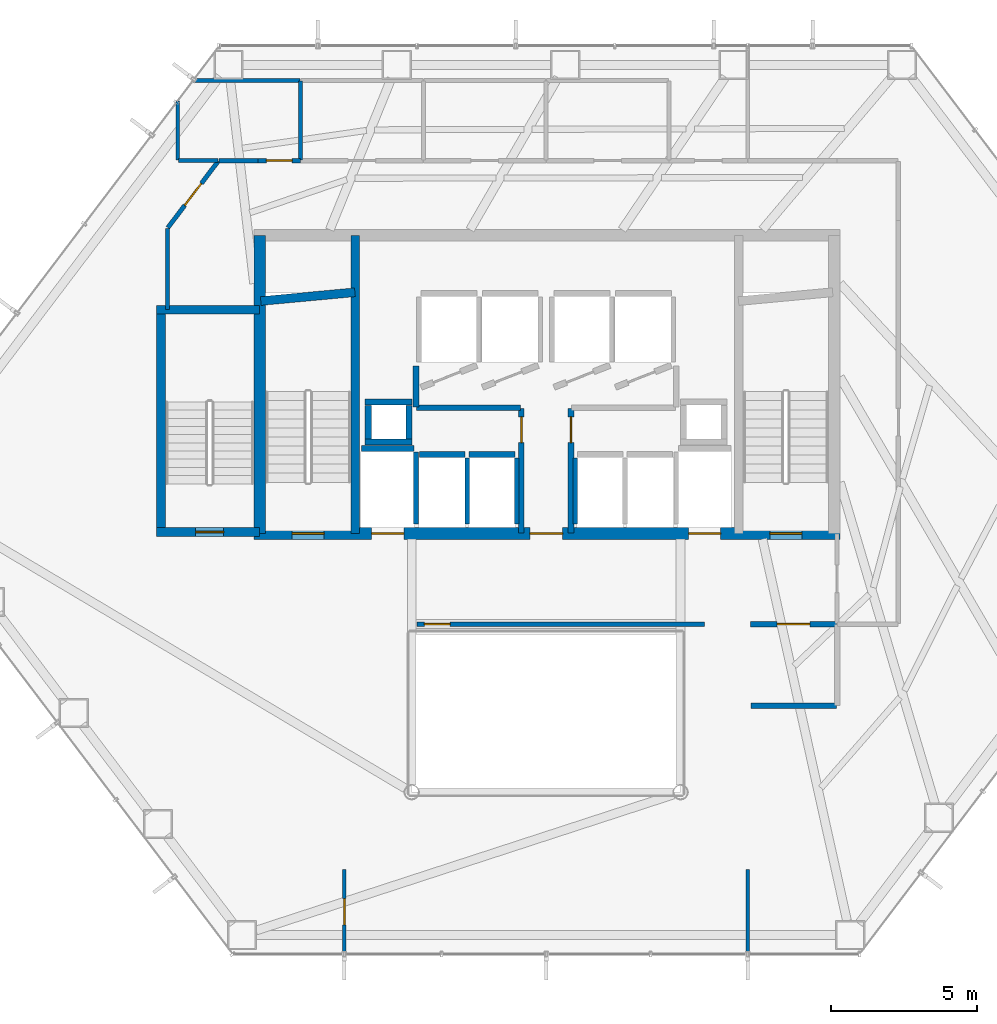
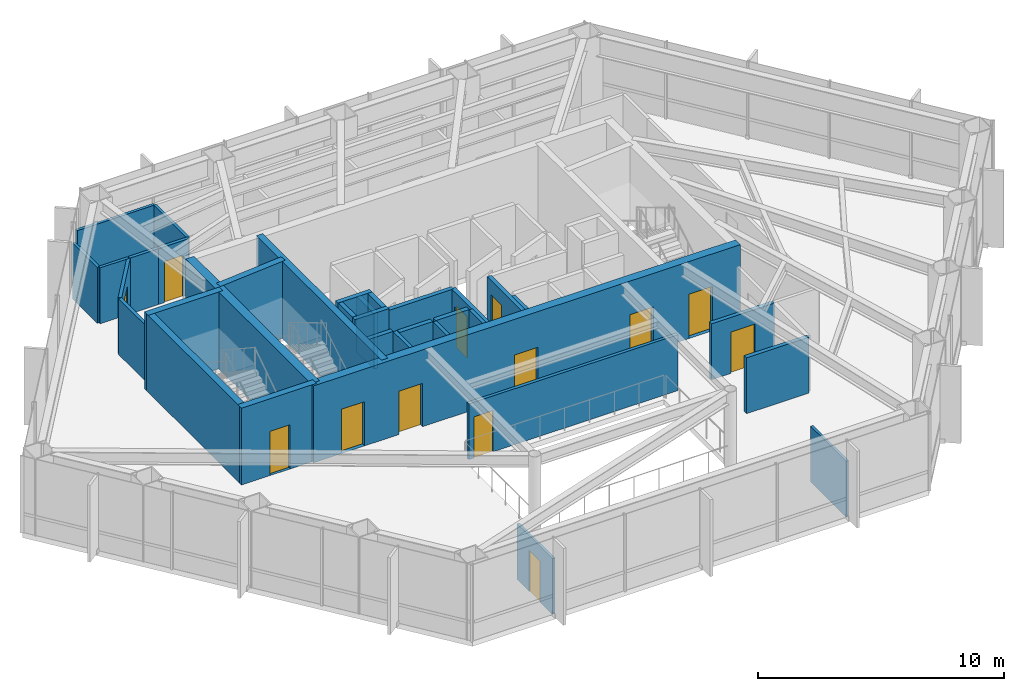
# One storey, part 22 of 25: 35 walls, 13 doors, 13 openings.
"""IFC4 building model written with IfcOpenShell, lengths in metres."""

import ifcopenshell
import ifcopenshell.guid

model = None  # the IFC model being written
_history = None  # IfcOwnerHistory: only IFC2X3 demands one
_inside = {}  # id of a spatial element -> (the spatial element, [elements in it])
_under = {}  # id of a project, library or spatial element -> (it, [spatial elements below it])
_declared = {}  # id of a project -> (the project, [libraries it declares])
_typed = {}  # id of a type object -> (the type object, [elements of that type])
_made_of = {}  # id of a material, layer set ... -> (it, [elements and type objects made of it])


def new_model(schema):
    """Start an empty IFC model of exactly this schema.

    Asked for "IFC4X3", IfcOpenShell would pick the latest addendum, in which some entities
    have other attributes; the version numbers below select the first issue.
    IFC2X3 requires an IfcOwnerHistory on every rooted entity: one is made here for all.
    """
    global model, _history
    if schema == "IFC4X3":
        model = ifcopenshell.file(schema_version=(4, 3, 0, 0))
    else:
        model = ifcopenshell.file(schema=schema)
    _inside.clear()
    _under.clear()
    _declared.clear()
    _typed.clear()
    _made_of.clear()
    _history = None
    if model.schema == "IFC2X3":
        org = make("IfcOrganization", Name="unknown")
        user = make(
            "IfcPersonAndOrganization",
            ThePerson=make("IfcPerson", FamilyName="unknown"),
            TheOrganization=org,
        )
        app = make(
            "IfcApplication",
            ApplicationDeveloper=org,
            Version="unknown",
            ApplicationFullName="unknown",
            ApplicationIdentifier="unknown",
        )
        _history = make(
            "IfcOwnerHistory",
            OwningUser=user,
            OwningApplication=app,
            ChangeAction="ADDED",
            CreationDate=0,
        )
    return model


def make(cls, **values):
    """One entity of the class cls with the attributes given. An attribute that is None is left unset."""
    return model.create_entity(
        cls, **{name: value for name, value in values.items() if value is not None}
    )


def rooted(cls, **values):
    """An entity with a GlobalId (a new one), such as an element, a storey or a relation."""
    return make(cls, GlobalId=ifcopenshell.guid.new(), OwnerHistory=_history, **values)


def si_unit(unit_type, name, prefix=None):
    """IfcSIUnit, for example si_unit("LENGTHUNIT", "METRE", prefix="MILLI")."""
    return make("IfcSIUnit", UnitType=unit_type, Prefix=prefix, Name=name)


def assignment(units):
    """IfcUnitAssignment: the units of a project."""
    return None if units is None else make("IfcUnitAssignment", Units=units)


def point(xyz):
    """IfcCartesianPoint."""
    return None if xyz is None else make("IfcCartesianPoint", Coordinates=xyz)


def direction(xyz):
    """IfcDirection."""
    return None if xyz is None else make("IfcDirection", DirectionRatios=xyz)


def frame(location, z_axis=None, x_axis=None):
    """IfcAxis2Placement3D, a coordinate frame: its origin and axes. An axis left out is left unset."""
    return make(
        "IfcAxis2Placement3D",
        Location=point(location),
        Axis=direction(z_axis),
        RefDirection=direction(x_axis),
    )


def frame_2d(location, x_axis=None):
    """IfcAxis2Placement2D, a coordinate frame in the plane: its origin and x axis."""
    return make(
        "IfcAxis2Placement2D", Location=point(location), RefDirection=direction(x_axis)
    )


def origin():
    """The frame at (0, 0, 0) with its axes left unset."""
    return frame((0.0, 0.0, 0.0))


def place(relative_to, where):
    """IfcLocalPlacement: puts the frame where relative to a parent placement (None: the world)."""
    return make(
        "IfcLocalPlacement", PlacementRelTo=relative_to, RelativePlacement=where
    )


def context(
    kind, dimensions, precision=None, world=None, true_north=None, identifier=None
):
    """IfcGeometricRepresentationContext, for example the 3D "Model" context."""
    return make(
        "IfcGeometricRepresentationContext",
        ContextIdentifier=identifier,
        ContextType=kind,
        CoordinateSpaceDimension=dimensions,
        Precision=precision,
        WorldCoordinateSystem=world,
        TrueNorth=true_north,
    )


def subcontext(parent, identifier, kind, view, scale=None):
    """IfcGeometricRepresentationSubContext, for example "Body" below "Model"."""
    return make(
        "IfcGeometricRepresentationSubContext",
        ContextIdentifier=identifier,
        ContextType=kind,
        ParentContext=parent,
        TargetScale=scale,
        TargetView=view,
    )


def project(units=None, contexts=None):
    """IfcProject with its units and contexts."""
    return rooted(
        "IfcProject",
        Name="project",
        RepresentationContexts=contexts,
        UnitsInContext=assignment(units),
    )


def spatial(cls, under=None, at=None, **own):
    """A site, building, storey or space (cls), placed at a placement, below another one or the project."""
    s = rooted(cls, ObjectPlacement=at, **own)
    if under is not None:
        _under.setdefault(under.id(), (under, []))[1].append(s)
    return s


def profile(cls, at=None, kind="AREA", **sizes):
    """A parametric profile (cls). Its sizes go by their IFC names, for example OverallWidth=200.0."""
    return make(cls, ProfileType=kind, Position=at, **sizes)


def rectangle(**sizes):
    """IfcRectangleProfileDef."""
    return profile("IfcRectangleProfileDef", **sizes)


def extrude(swept, where, along, depth):
    """IfcExtrudedAreaSolid: the profile swept, set in the frame where, extruded along a direction by depth."""
    return make(
        "IfcExtrudedAreaSolid",
        SweptArea=swept,
        Position=where,
        ExtrudedDirection=direction(along),
        Depth=depth,
    )


def shape(context_of_items, identifier, shape_type, items):
    """IfcShapeRepresentation: the items that make up one representation, for example the "Body"."""
    return make(
        "IfcShapeRepresentation",
        ContextOfItems=context_of_items,
        RepresentationIdentifier=identifier,
        RepresentationType=shape_type,
        Items=items,
    )


def material(Name=None, Category=None):
    """IfcMaterial."""
    return make("IfcMaterial", Name=Name, Category=Category)


def layer(
    of_material, thickness, ventilated=None, Name=None, Category=None, Priority=None
):
    """IfcMaterialLayer: one layer of a wall or slab, of a material (None: an air gap)."""
    return make(
        "IfcMaterialLayer",
        Material=of_material,
        LayerThickness=thickness,
        IsVentilated=ventilated,
        Name=Name,
        Category=Category,
        Priority=Priority,
    )


def layer_set(layers, Name=None):
    """IfcMaterialLayerSet."""
    return make("IfcMaterialLayerSet", MaterialLayers=layers, LayerSetName=Name)


def made_of(thing, what):
    """Note that an element or type object is made of a material, layer set ...; save() writes the relation."""
    if what is not None:
        _made_of.setdefault(what.id(), (what, []))[1].append(thing)
    return thing


def type_object(cls, material=None, **own):
    """A type object (cls), such as IfcWallType, which elements share."""
    return made_of(rooted(cls, **own), material)


def element(
    cls,
    number,
    at=None,
    inside=None,
    cuts=None,
    type_object=None,
    material=None,
    context=None,
    identifier="Body",
    shape_type=None,
    held_by="IfcProductDefinitionShape",
    body=None,
    shapes=None,
    **own,
):
    """One element of the class cls, such as IfcWall. Its Tag is "e" and its number.

    at: its placement. inside: the storey or other place that contains it. cuts: it is an
    opening in that element (IfcRelVoidsElement). A single representation is given by context,
    identifier, shape_type and body (its items); several are given by shapes. held_by: the class
    of the entity that holds the representations. save() writes the other relations.
    """
    e = rooted(cls, Tag="e%d" % number, ObjectPlacement=at, **own)
    if body is not None:
        shapes = [shape(context, identifier, shape_type, body)]
    if shapes is not None:
        e.Representation = make(held_by, Representations=shapes)
    if inside is not None:
        _inside.setdefault(inside.id(), (inside, []))[1].append(e)
    if cuts is not None:
        rooted(
            "IfcRelVoidsElement", RelatingBuildingElement=cuts, RelatedOpeningElement=e
        )
    if type_object is not None:
        _typed.setdefault(type_object.id(), (type_object, []))[1].append(e)
    return made_of(e, material)


def fill(opening, filler):
    """IfcRelFillsElement: the door or window that sits in an opening."""
    return rooted(
        "IfcRelFillsElement",
        RelatingOpeningElement=opening,
        RelatedBuildingElement=filler,
    )


def aggregate(whole, parts):
    """IfcRelAggregates: a whole, such as a stair, and the parts it consists of."""
    return rooted("IfcRelAggregates", RelatingObject=whole, RelatedObjects=parts)


def save(model, path):
    """Write the relations noted so far, then the file.

    IfcRelAggregates (storeys below a building ...), IfcRelContainedInSpatialStructure (elements
    in a storey), IfcRelDefinesByType, IfcRelAssociatesMaterial and IfcRelDeclares: one each for
    every whole, place, type object, material and project.
    """
    for whole, parts in _under.values():
        aggregate(whole, parts)
    for where, things in _inside.values():
        rooted(
            "IfcRelContainedInSpatialStructure",
            RelatedElements=things,
            RelatingStructure=where,
        )
    for kind, things in _typed.values():
        rooted("IfcRelDefinesByType", RelatedObjects=things, RelatingType=kind)
    for what, things in _made_of.values():
        rooted("IfcRelAssociatesMaterial", RelatedObjects=things, RelatingMaterial=what)
    for by, libraries in _declared.values():
        rooted("IfcRelDeclares", RelatingContext=by, RelatedDefinitions=libraries)
    model.write(path)


model = new_model("IFC4")

# Units and contexts
model_context = context("Model", 3, precision=1e-05, world=origin(), true_north=direction((0.0, 1.0)))
body_context = subcontext(model_context, "Body", "Model", "MODEL_VIEW")
ifc_project = project(units=[si_unit("LENGTHUNIT", "METRE"), si_unit("AREAUNIT", "SQUARE_METRE"), si_unit("VOLUMEUNIT", "CUBIC_METRE"), si_unit("PLANEANGLEUNIT", "RADIAN"), si_unit("MASSUNIT", "GRAM", prefix="KILO")], contexts=[model_context])

# Site, building, storey
site_placement = place(None, origin())
site = spatial("IfcSite", under=ifc_project, at=site_placement, CompositionType="ELEMENT")
building_placement = place(site_placement, origin())
building = spatial("IfcBuilding", under=site, at=building_placement, Name="Zarrinselat Tower", CompositionType="ELEMENT")
storey_placement = place(building_placement, frame((0.0, 0.0, 56.10009765625)))
storey = spatial("IfcBuildingStorey", under=building, at=storey_placement, Name="L13", CompositionType="ELEMENT", Elevation=56.10009765625)

# Wall, opening, door
ifc_material_1 = material(Name="Concrete C40/50", Category="concrete")
ifc_layer_1 = layer(ifc_material_1, 0.18994140625)
ifc_layer_set_1 = layer_set([ifc_layer_1], Name="Concrete C40/50")
wall_type_1 = type_object("IfcWallType", Name="WAL-PART-EI120", PredefinedType="PARTITIONING", material=ifc_layer_set_1)
wall_1_placement = place(storey_placement, frame((45.385009765625, 30.14990234375, 0.0), z_axis=(0.0, 0.0, 1.0), x_axis=(1.0, 0.0, 0.0)))
wall_1 = element("IfcWall", 1, at=wall_1_placement, inside=storey, type_object=wall_type_1, Name="L13 Partition Wall 7", PredefinedType="PARTITIONING", context=body_context, shape_type="SweptSolid", body=[
    extrude(rectangle(XDim=2.945068359375, YDim=0.18994140625, at=frame_2d((1.47265625, 0.0))), origin(), (0.0, 0.0, 1.0), 2.77685546875),
])
opening_1_placement = place(wall_1_placement, frame((0.91259765625, 0.0, 0.0)))
opening_1 = element("IfcOpeningElement", 2, at=opening_1_placement, cuts=wall_1, Name="Opening ID-02", PredefinedType="OPENING", context=body_context, shape_type="SweptSolid", body=[
    extrude(rectangle(XDim=1.1201171875, YDim=2.050048828125, at=frame_2d((0.56005859375, 1.02490234375))), frame((0.0, 0.10498046875, 0.0), z_axis=(0.0, -1.0, 0.0), x_axis=(1.0, 0.0, 0.0)), (0.0, 0.0, 1.0), 0.2099609375),
])
ifc_material_2 = material(Name="Steel S355J2", Category="steel")
door_type_1 = type_object("IfcDoorType", Name="DR-INT-FD60-W", OperationType="NOTDEFINED", PredefinedType="DOOR", material=ifc_material_2)
door_1_placement = place(opening_1_placement, origin())
door_1 = element("IfcDoor", 3, at=door_1_placement, inside=storey, type_object=door_type_1, Name="L13 Interior Door P7", OperationType="SINGLE_SWING_RIGHT", OverallHeight=2.050048828125, OverallWidth=1.1201171875, PredefinedType="DOOR", context=body_context, shape_type="SweptSolid", body=[
    extrude(rectangle(XDim=1.1201171875, YDim=2.050048828125, at=frame_2d((0.56005859375, 1.02490234375))), frame((0.0, 0.02490234375, 0.0), z_axis=(0.0, -1.0, 0.0), x_axis=(1.0, 0.0, 0.0)), (0.0, 0.0, 1.0), 0.050048828125),
])
fill(opening_1, door_1)

# Wall
wall_2_placement = place(storey_placement, frame((45.39990234375, 27.35009765625, 0.0), z_axis=(0.0, 0.0, 1.0), x_axis=(1.0, 0.0, 0.0)))
element("IfcWall", 4, at=wall_2_placement, inside=storey, type_object=wall_type_1, Name="L13 Partition Wall 10", PredefinedType="PARTITIONING", context=body_context, shape_type="SweptSolid", body=[
    extrude(rectangle(XDim=2.93017578125, YDim=0.18994140625, at=frame_2d((1.465087890625, 0.0))), origin(), (0.0, 0.0, 1.0), 2.77685546875),
])

# Wall, opening, door
ifc_material_3 = material(Name="Fire-Rated Gypsum Board Partition", Category="gypsum")
ifc_layer_2 = layer(ifc_material_3, 0.14990234375)
ifc_layer_set_2 = layer_set([ifc_layer_2], Name="Fire-Rated Gypsum Board Partition")
wall_type_2 = type_object("IfcWallType", Name="WAL-PART-EI60", PredefinedType="PARTITIONING", material=ifc_layer_set_2)
wall_3_placement = place(storey_placement, frame((33.985107421875, 30.14990234375, 0.0), z_axis=(0.0, 0.0, 1.0), x_axis=(1.0, 0.0, 0.0)))
wall_3 = element("IfcWall", 5, at=wall_3_placement, inside=storey, type_object=wall_type_2, Name="L13 Partition Wall 9", PredefinedType="PARTITIONING", context=body_context, shape_type="SweptSolid", body=[
    extrude(rectangle(XDim=9.829833984375, YDim=0.14990234375, at=frame_2d((4.9150390625, 0.0))), origin(), (0.0, 0.0, 1.0), 2.77685546875),
])
opening_2_placement = place(wall_3_placement, frame((0.25, 0.0, 0.0)))
opening_2 = element("IfcOpeningElement", 6, at=opening_2_placement, cuts=wall_3, Name="Opening ID-03", PredefinedType="OPENING", context=body_context, shape_type="SweptSolid", body=[
    extrude(rectangle(XDim=0.8798828125, YDim=2.050048828125, at=frame_2d((0.43994140625, 1.02490234375))), frame((0.0, 0.0849609375, 0.0), z_axis=(0.0, -1.0, 0.0), x_axis=(1.0, 0.0, 0.0)), (0.0, 0.0, 1.0), 0.169921875),
])
ifc_material_4 = material(Name="Steel S355J2", Category="steel")
door_type_2 = type_object("IfcDoorType", Name="DR-INT-FD60-S", OperationType="NOTDEFINED", PredefinedType="DOOR", material=ifc_material_4)
door_2_placement = place(opening_2_placement, origin())
door_2 = element("IfcDoor", 7, at=door_2_placement, inside=storey, type_object=door_type_2, Name="L13 Interior Door P9", OperationType="SINGLE_SWING_RIGHT", OverallHeight=2.050048828125, OverallWidth=0.8798828125, PredefinedType="DOOR", context=body_context, shape_type="SweptSolid", body=[
    extrude(rectangle(XDim=0.8798828125, YDim=2.050048828125, at=frame_2d((0.43994140625, 1.02490234375))), frame((0.0, 0.02490234375, 0.0), z_axis=(0.0, -1.0, 0.0), x_axis=(1.0, 0.0, 0.0)), (0.0, 0.0, 1.0), 0.050048828125),
])
fill(opening_2, door_2)

# Wall
wall_4_placement = place(storey_placement, frame((27.216552734375, 46.0, 0.0), z_axis=(0.0, 0.0, 1.0), x_axis=(1.0, 0.0, 0.0)))
element("IfcWall", 8, at=wall_4_placement, inside=storey, type_object=wall_type_2, Name="L13 Partition Wall 12", PredefinedType="PARTITIONING", context=body_context, shape_type="SweptSolid", body=[
    extrude(rectangle(XDim=1.33349609375, YDim=0.14990234375, at=frame_2d((0.666748046875, 0.0))), origin(), (0.0, 0.0, 1.0), 2.77685546875),
])

# Wall, opening, door
wall_5_placement = place(storey_placement, frame((28.550048828125, 46.0, 0.0), z_axis=(0.0, 0.0, 1.0), x_axis=(1.0, 0.0, 0.0)))
wall_5 = element("IfcWall", 9, at=wall_5_placement, inside=storey, type_object=wall_type_2, Name="L13 Partition Wall 13", PredefinedType="PARTITIONING", context=body_context, shape_type="SweptSolid", body=[
    extrude(rectangle(XDim=1.445068359375, YDim=0.14990234375, at=frame_2d((0.72265625, 0.0))), origin(), (0.0, 0.0, 1.0), 2.77685546875),
])
opening_3_placement = place(wall_5_placement, frame((0.282470703125, 0.0, 0.0)))
opening_3 = element("IfcOpeningElement", 10, at=opening_3_placement, cuts=wall_5, Name="Opening ID-03", PredefinedType="OPENING", context=body_context, shape_type="SweptSolid", body=[
    extrude(rectangle(XDim=0.8798828125, YDim=2.050048828125, at=frame_2d((0.43994140625, 1.02490234375))), frame((0.0, 0.0849609375, 0.0), z_axis=(0.0, -1.0, 0.0), x_axis=(1.0, 0.0, 0.0)), (0.0, 0.0, 1.0), 0.169921875),
])
door_3_placement = place(opening_3_placement, origin())
door_3 = element("IfcDoor", 11, at=door_3_placement, inside=storey, type_object=door_type_2, Name="L13 Interior Door P13", OperationType="SINGLE_SWING_LEFT", OverallHeight=2.050048828125, OverallWidth=0.8798828125, PredefinedType="DOOR", context=body_context, shape_type="SweptSolid", body=[
    extrude(rectangle(XDim=0.8798828125, YDim=2.050048828125, at=frame_2d((0.43994140625, 1.02490234375))), frame((0.0, 0.02490234375, 0.0), z_axis=(0.0, -1.0, 0.0), x_axis=(1.0, 0.0, 0.0)), (0.0, 0.0, 1.0), 0.050048828125),
])
fill(opening_3, door_3)

# Wall
wall_6_placement = place(storey_placement, frame((25.449951171875, 40.9150390625, 0.0), z_axis=(0.0, 0.0, 1.0), x_axis=(0.0, 1.0, 0.0)))
element("IfcWall", 12, at=wall_6_placement, inside=storey, type_object=wall_type_2, Name="L13 Partition Wall 17", PredefinedType="PARTITIONING", context=body_context, shape_type="SweptSolid", body=[
    extrude(rectangle(XDim=2.75927734375, YDim=0.14990234375, at=frame_2d((1.379638671875, 0.0))), origin(), (0.0, 0.0, 1.0), 2.77685546875),
])

# Wall, opening, door
wall_7_placement = place(storey_placement, frame((25.462158203125, 43.710205078125, 0.0), z_axis=(0.0, 0.0, 1.0), x_axis=(0.603800014115, 0.797135837204, 0.0)))
wall_7 = element("IfcWall", 13, at=wall_7_placement, inside=storey, type_object=wall_type_2, Name="L13 Partition Wall 18", PredefinedType="PARTITIONING", context=body_context, shape_type="SweptSolid", body=[
    extrude(rectangle(XDim=2.8525390625, YDim=0.14990234375, at=frame_2d((1.42626953125, 0.0))), origin(), (0.0, 0.0, 1.0), 2.77685546875),
])
opening_4_placement = place(wall_7_placement, frame((0.956298828125, 0.0, 0.0)))
opening_4 = element("IfcOpeningElement", 14, at=opening_4_placement, cuts=wall_7, Name="Opening ID-04", PredefinedType="OPENING", context=body_context, shape_type="SweptSolid", body=[
    extrude(rectangle(XDim=0.93994140625, YDim=2.050048828125, at=frame_2d((0.469970703125, 1.02490234375))), frame((0.0, 0.0849609375, 0.0), z_axis=(0.0, -1.0, 0.0), x_axis=(1.0, 0.0, 0.0)), (0.0, 0.0, 1.0), 0.169921875),
])
ifc_material_5 = material(Name="Fire-Rated Gypsum Board Partition")
door_type_3 = type_object("IfcDoorType", Name="DR-INT-FD30-ENT", OperationType="NOTDEFINED", PredefinedType="DOOR", material=ifc_material_5)
door_4_placement = place(opening_4_placement, origin())
door_4 = element("IfcDoor", 15, at=door_4_placement, inside=storey, type_object=door_type_3, Name="L13 Interior Door P18", OperationType="SINGLE_SWING_LEFT", OverallHeight=2.050048828125, OverallWidth=0.93994140625, PredefinedType="DOOR", context=body_context, shape_type="SweptSolid", body=[
    extrude(rectangle(XDim=0.93994140625, YDim=2.050048828125, at=frame_2d((0.469970703125, 1.02490234375))), frame((0.0, 0.02490234375, 0.0), z_axis=(0.0, -1.0, 0.0), x_axis=(1.0, 0.0, 0.0)), (0.0, 0.0, 1.0), 0.050048828125),
])
fill(opening_4, door_4)

ifc_material_6 = material(Name="Concrete C40/50", Category="concrete")
ifc_layer_3 = layer(ifc_material_6, 0.199951171875)
ifc_layer_set_3 = layer_set([ifc_layer_3], Name="Concrete C40/50")
wall_type_3 = type_object("IfcWallType", Name="WAL-PART-PLANT", PredefinedType="PARTITIONING", material=ifc_layer_set_3)
wall_8_placement = place(storey_placement, frame((37.550048828125, 33.264892578125, 0.0), z_axis=(0.0, 0.0, 1.0), x_axis=(0.0, 1.0, 0.0)))
wall_8 = element("IfcWall", 16, at=wall_8_placement, inside=storey, type_object=wall_type_3, Name="L13 Partition Wall 1", PredefinedType="PARTITIONING", context=body_context, shape_type="SweptSolid", body=[
    extrude(rectangle(XDim=4.26513671875, YDim=0.199951171875, at=frame_2d((2.132568359375, 0.0))), origin(), (0.0, 0.0, 1.0), 2.77685546875),
])
opening_5_placement = place(wall_8_placement, frame((3.092529296875, 0.0, 0.0)))
opening_5 = element("IfcOpeningElement", 17, at=opening_5_placement, cuts=wall_8, Name="Opening ID-03", PredefinedType="OPENING", context=body_context, shape_type="SweptSolid", body=[
    extrude(rectangle(XDim=0.8798828125, YDim=2.050048828125, at=frame_2d((0.43994140625, 1.02490234375))), frame((0.0, 0.10986328125, 0.0), z_axis=(0.0, -1.0, 0.0), x_axis=(1.0, 0.0, 0.0)), (0.0, 0.0, 1.0), 0.219970703125),
])
door_5_placement = place(opening_5_placement, origin())
door_5 = element("IfcDoor", 18, at=door_5_placement, inside=storey, type_object=door_type_2, Name="L13 Interior Door P1", OperationType="SINGLE_SWING_RIGHT", OverallHeight=2.050048828125, OverallWidth=0.8798828125, PredefinedType="DOOR", context=body_context, shape_type="SweptSolid", body=[
    extrude(rectangle(XDim=0.8798828125, YDim=2.050048828125, at=frame_2d((0.43994140625, 1.02490234375))), frame((0.0, 0.02490234375, 0.0), z_axis=(0.0, -1.0, 0.0), x_axis=(1.0, 0.0, 0.0)), (0.0, 0.0, 1.0), 0.050048828125),
])
fill(opening_5, door_5)

# Walls
wall_9_placement = place(storey_placement, frame((33.969970703125, 37.550048828125, 0.0), z_axis=(0.0, 0.0, 1.0), x_axis=(1.0, 0.0, 0.0)))
element("IfcWall", 19, at=wall_9_placement, inside=storey, type_object=wall_type_3, Name="L13 Partition Wall 2", PredefinedType="PARTITIONING", context=body_context, shape_type="SweptSolid", body=[
    extrude(rectangle(XDim=3.56005859375, YDim=0.199951171875, at=frame_2d((1.780029296875, 0.0))), origin(), (0.0, 0.0, 1.0), 2.77685546875),
])
wall_10_placement = place(storey_placement, frame((33.949951171875, 37.570068359375, 0.0), z_axis=(0.0, 0.0, 1.0), x_axis=(0.0, 1.0, 0.0)))
element("IfcWall", 20, at=wall_10_placement, inside=storey, type_object=wall_type_3, Name="L13 Partition Wall 3", PredefinedType="PARTITIONING", context=body_context, shape_type="SweptSolid", body=[
    extrude(rectangle(XDim=1.4150390625, YDim=0.199951171875, at=frame_2d((0.70751953125, 0.0))), origin(), (0.0, 0.0, 1.0), 2.77685546875),
])

# Wall, opening, door
wall_11_placement = place(storey_placement, frame((39.25, 33.264892578125, 0.0), z_axis=(0.0, 0.0, 1.0), x_axis=(0.0, 1.0, 0.0)))
wall_11 = element("IfcWall", 21, at=wall_11_placement, inside=storey, type_object=wall_type_3, Name="L13 Partition Wall 6", PredefinedType="PARTITIONING", context=body_context, shape_type="SweptSolid", body=[
    extrude(rectangle(XDim=4.26513671875, YDim=0.199951171875, at=frame_2d((2.132568359375, 0.0))), origin(), (0.0, 0.0, 1.0), 2.77685546875),
])
opening_6_placement = place(wall_11_placement, frame((3.092529296875, 0.0, 0.0)))
opening_6 = element("IfcOpeningElement", 22, at=opening_6_placement, cuts=wall_11, Name="Opening ID-03", PredefinedType="OPENING", context=body_context, shape_type="SweptSolid", body=[
    extrude(rectangle(XDim=0.8798828125, YDim=2.050048828125, at=frame_2d((0.43994140625, 1.02490234375))), frame((0.0, 0.10986328125, 0.0), z_axis=(0.0, -1.0, 0.0), x_axis=(1.0, 0.0, 0.0)), (0.0, 0.0, 1.0), 0.219970703125),
])
door_6_placement = place(opening_6_placement, origin())
door_6 = element("IfcDoor", 23, at=door_6_placement, inside=storey, type_object=door_type_2, Name="L13 Interior Door P6", OperationType="SINGLE_SWING_LEFT", OverallHeight=2.050048828125, OverallWidth=0.8798828125, PredefinedType="DOOR", context=body_context, shape_type="SweptSolid", body=[
    extrude(rectangle(XDim=0.8798828125, YDim=2.050048828125, at=frame_2d((0.43994140625, 1.02490234375))), frame((0.0, 0.02490234375, 0.0), z_axis=(0.0, -1.0, 0.0), x_axis=(1.0, 0.0, 0.0)), (0.0, 0.0, 1.0), 0.050048828125),
])
fill(opening_6, door_6)

ifc_material_7 = material(Name="Fire-Rated Gypsum Board Partition", Category="gypsum")
ifc_layer_4 = layer(ifc_material_7, 0.1201171875)
ifc_layer_set_4 = layer_set([ifc_layer_4], Name="Fire-Rated Gypsum Board Partition")
wall_type_4 = type_object("IfcWallType", Name="WAL-PART-STD", PredefinedType="PARTITIONING", material=ifc_layer_set_4)
wall_12_placement = place(storey_placement, frame((31.5, 18.876708984375, 0.0), z_axis=(0.0, 0.0, 1.0), x_axis=(0.0, 1.0, 0.0)))
wall_12 = element("IfcWall", 24, at=wall_12_placement, inside=storey, type_object=wall_type_4, Name="L13 Partition Wall 35", PredefinedType="PARTITIONING", context=body_context, shape_type="SweptSolid", body=[
    extrude(rectangle(XDim=2.873291015625, YDim=0.1201171875, at=frame_2d((1.4365234375, 0.0))), origin(), (0.0, 0.0, 1.0), 2.77685546875),
])
opening_7_placement = place(wall_12_placement, frame((0.98681640625, 0.0, 0.0)))
opening_7 = element("IfcOpeningElement", 25, at=opening_7_placement, cuts=wall_12, Name="Opening ID-05", PredefinedType="OPENING", context=body_context, shape_type="SweptSolid", body=[
    extrude(rectangle(XDim=0.89990234375, YDim=2.050048828125, at=frame_2d((0.449951171875, 1.02490234375))), frame((0.0, 0.070068359375, 0.0), z_axis=(0.0, -1.0, 0.0), x_axis=(1.0, 0.0, 0.0)), (0.0, 0.0, 1.0), 0.14013671875),
])
ifc_material_8 = material(Name="Extruded Aluminium Alloy EN AW-6063 T6", Category="aluminium")
door_type_4 = type_object("IfcDoorType", Name="DR-INT-STD-920", OperationType="NOTDEFINED", PredefinedType="DOOR", material=ifc_material_8)
door_7_placement = place(opening_7_placement, origin())
door_7 = element("IfcDoor", 26, at=door_7_placement, inside=storey, type_object=door_type_4, Name="L13 Interior Door P35", OperationType="SINGLE_SWING_RIGHT", OverallHeight=2.050048828125, OverallWidth=0.89990234375, PredefinedType="DOOR", context=body_context, shape_type="SweptSolid", body=[
    extrude(rectangle(XDim=0.89990234375, YDim=2.050048828125, at=frame_2d((0.449951171875, 1.02490234375))), frame((0.0, 0.02490234375, 0.0), z_axis=(0.0, -1.0, 0.0), x_axis=(1.0, 0.0, 0.0)), (0.0, 0.0, 1.0), 0.050048828125),
])
fill(opening_7, door_7)

# Walls
wall_13_placement = place(storey_placement, frame((45.300048828125, 18.876708984375, 0.0), z_axis=(0.0, 0.0, 1.0), x_axis=(0.0, 1.0, 0.0)))
element("IfcWall", 27, at=wall_13_placement, inside=storey, type_object=wall_type_4, Name="L13 Partition Wall 36", PredefinedType="PARTITIONING", context=body_context, shape_type="SweptSolid", body=[
    extrude(rectangle(XDim=2.873291015625, YDim=0.1201171875, at=frame_2d((1.4365234375, 0.0))), origin(), (0.0, 0.0, 1.0), 2.77685546875),
])
ifc_material_9 = material(Name="Fire-Rated Gypsum Board Partition", Category="gypsum")
ifc_layer_5 = layer(ifc_material_9, 0.135009765625)
ifc_layer_set_5 = layer_set([ifc_layer_5], Name="Fire-Rated Gypsum Board Partition")
wall_type_5 = type_object("IfcWallType", Name="WAL-PART-WET", PredefinedType="PARTITIONING", material=ifc_layer_set_5)
wall_14_placement = place(storey_placement, frame((30.0, 46.02001953125, 0.0), z_axis=(0.0, 0.0, 1.0), x_axis=(0.0, 1.0, 0.0)))
element("IfcWall", 28, at=wall_14_placement, inside=storey, type_object=wall_type_5, Name="L13 Partition Wall 25", PredefinedType="PARTITIONING", context=body_context, shape_type="SweptSolid", body=[
    extrude(rectangle(XDim=2.7099609375, YDim=0.135009765625, at=frame_2d((1.35498046875, 0.0))), origin(), (0.0, 0.0, 1.0), 2.77685546875),
])
wall_15_placement = place(storey_placement, frame((25.820068359375, 46.0, 0.0), z_axis=(0.0, 0.0, 1.0), x_axis=(1.0, 0.0, 0.0)))
element("IfcWall", 29, at=wall_15_placement, inside=storey, type_object=wall_type_5, Name="L13 Partition Wall 26", PredefinedType="PARTITIONING", context=body_context, shape_type="SweptSolid", body=[
    extrude(rectangle(XDim=1.3564453125, YDim=0.135009765625, at=frame_2d((0.67822265625, 0.0))), origin(), (0.0, 0.0, 1.0), 2.77685546875),
])
wall_16_placement = place(storey_placement, frame((25.800048828125, 46.02001953125, 0.0), z_axis=(0.0, 0.0, 1.0), x_axis=(0.0, 1.0, 0.0)))
element("IfcWall", 30, at=wall_16_placement, inside=storey, type_object=wall_type_5, Name="L13 Partition Wall 27", PredefinedType="PARTITIONING", context=body_context, shape_type="SweptSolid", body=[
    extrude(rectangle(XDim=2.029541015625, YDim=0.135009765625, at=frame_2d((1.0146484375, 0.0))), origin(), (0.0, 0.0, 1.0), 2.77685546875),
])
wall_17_placement = place(storey_placement, frame((26.334228515625, 48.75, 0.0), z_axis=(0.0, 0.0, 1.0), x_axis=(1.0, 0.0, 0.0)))
element("IfcWall", 31, at=wall_17_placement, inside=storey, type_object=wall_type_5, Name="L13 Partition Wall 28", PredefinedType="PARTITIONING", context=body_context, shape_type="SweptSolid", body=[
    extrude(rectangle(XDim=3.645751953125, YDim=0.135009765625, at=frame_2d((1.82275390625, 0.0))), origin(), (0.0, 0.0, 1.0), 2.77685546875),
])
ifc_material_10 = material(Name="Concrete C40/50", Category="concrete")
ifc_layer_6 = layer(ifc_material_10, 0.2099609375)
ifc_layer_set_6 = layer_set([ifc_layer_6], Name="Concrete C40/50")
wall_type_6 = type_object("IfcWallType", Name="WAL-SHAFT-210", PredefinedType="SOLIDWALL", material=ifc_layer_set_6)
wall_18_placement = place(storey_placement, frame((32.080078125, 36.155029296875, 0.0), z_axis=(0.0, 0.0, 1.0), x_axis=(1.0, 0.0, 0.0)))
element("IfcWall", 32, at=wall_18_placement, inside=storey, type_object=wall_type_6, Name="L13 Lift FFL1 North Shaft Wall", PredefinedType="SOLIDWALL", context=body_context, shape_type="SweptSolid", body=[
    extrude(rectangle(XDim=1.7998046875, YDim=0.2099609375, at=frame_2d((0.89990234375, 0.0))), origin(), (0.0, 0.0, 1.0), 2.7919921875),
])
wall_19_placement = place(storey_placement, frame((33.949951171875, 33.580078125, 0.0), z_axis=(0.0, 0.0, 1.0), x_axis=(0.0, 1.0, 0.0)))
element("IfcWall", 33, at=wall_19_placement, inside=storey, type_object=wall_type_6, Name="L13 Lift FFL1 E Shaft Wall", PredefinedType="SOLIDWALL", context=body_context, shape_type="SweptSolid", body=[
    extrude(rectangle(XDim=2.449951171875, YDim=0.159912109375, at=frame_2d((1.22509765625, 0.0))), origin(), (0.0, 0.0, 1.0), 2.7919921875),
])
wall_20_placement = place(storey_placement, frame((34.070068359375, 35.955078125, 0.0), z_axis=(0.0, 0.0, 1.0), x_axis=(1.0, 0.0, 0.0)))
element("IfcWall", 34, at=wall_20_placement, inside=storey, type_object=wall_type_6, Name="L13 Lift PL5 North Shaft Wall", PredefinedType="SOLIDWALL", context=body_context, shape_type="SweptSolid", body=[
    extrude(rectangle(XDim=1.559814453125, YDim=0.2099609375, at=frame_2d((0.77978515625, 0.0))), origin(), (0.0, 0.0, 1.0), 2.7919921875),
])
wall_21_placement = place(storey_placement, frame((35.699951171875, 33.580078125, 0.0), z_axis=(0.0, 0.0, 1.0), x_axis=(0.0, 1.0, 0.0)))
element("IfcWall", 35, at=wall_21_placement, inside=storey, type_object=wall_type_6, Name="L13 Lift PL5 E Shaft Wall", PredefinedType="SOLIDWALL", context=body_context, shape_type="SweptSolid", body=[
    extrude(rectangle(XDim=2.25, YDim=0.159912109375, at=frame_2d((1.125, 0.0))), origin(), (0.0, 0.0, 1.0), 2.7919921875),
])
wall_22_placement = place(storey_placement, frame((35.77001953125, 35.955078125, 0.0), z_axis=(0.0, 0.0, 1.0), x_axis=(1.0, 0.0, 0.0)))
element("IfcWall", 36, at=wall_22_placement, inside=storey, type_object=wall_type_6, Name="L13 Lift PL6 North Shaft Wall", PredefinedType="SOLIDWALL", context=body_context, shape_type="SweptSolid", body=[
    extrude(rectangle(XDim=1.56005859375, YDim=0.2099609375, at=frame_2d((0.780029296875, 0.0))), origin(), (0.0, 0.0, 1.0), 2.7919921875),
])
for number, where, z_axis, x_axis, name in (
    (37, (37.39990234375, 33.580078125, 0.0), (0.0, 0.0, 1.0), (0.0, 1.0, 0.0), "L13 Lift PL6 E Shaft Wall"),
    (38, (39.39990234375, 33.580078125, 0.0), (0.0, 0.0, 1.0), (0.0, 1.0, 0.0), "L13 Lift PL8 W Shaft Wall"),
):
    element("IfcWall", number, at=place(storey_placement, frame(where, z_axis=z_axis, x_axis=x_axis)), inside=storey, type_object=wall_type_6, Name=name, PredefinedType="SOLIDWALL", context=body_context, shape_type="SweptSolid", body=[
        extrude(rectangle(XDim=2.25, YDim=0.159912109375, at=frame_2d((1.125, 0.0))), origin(), (0.0, 0.0, 1.0), 2.7919921875),
    ])
for number, where, z_axis, x_axis, name in (
    (39, (32.2099609375, 36.375, 0.0), (0.0, 0.0, 1.0), (1.0, 0.0, 0.0), "L13 Core Riser RSR-W S Shaft Wall"),
    (40, (32.2099609375, 37.7451171875, 0.0), (0.0, 0.0, 1.0), (1.0, 0.0, 0.0), "L13 Core Riser RSR-W N Shaft Wall"),
):
    element("IfcWall", number, at=place(storey_placement, frame(where, z_axis=z_axis, x_axis=x_axis)), inside=storey, type_object=wall_type_6, Name=name, PredefinedType="SOLIDWALL", context=body_context, shape_type="SweptSolid", body=[
        extrude(rectangle(XDim=1.60009765625, YDim=0.2099609375, at=frame_2d((0.800048828125, 0.0))), origin(), (0.0, 0.0, 1.0), 3.81982421875),
    ])
for number, where, z_axis, x_axis, name in (
    (41, (32.31494140625, 36.485107421875, 0.0), (0.0, 0.0, 1.0), (0.0, 1.0, 0.0), "L13 Core Riser RSR-W W Shaft Wall"),
    (42, (33.705078125, 36.485107421875, 0.0), (0.0, 0.0, 1.0), (0.0, 1.0, 0.0), "L13 Core Riser RSR-W E Shaft Wall"),
):
    element("IfcWall", number, at=place(storey_placement, frame(where, z_axis=z_axis, x_axis=x_axis)), inside=storey, type_object=wall_type_6, Name=name, PredefinedType="SOLIDWALL", context=body_context, shape_type="SweptSolid", body=[
        extrude(rectangle(XDim=1.14990234375, YDim=0.2099609375, at=frame_2d((0.574951171875, 0.0))), origin(), (0.0, 0.0, 1.0), 3.81982421875),
    ])
ifc_material_11 = material(Name="Concrete C40/50", Category="concrete")
ifc_layer_7 = layer(ifc_material_11, 0.300048828125)
ifc_layer_set_7 = layer_set([ifc_layer_7], Name="Concrete C40/50")
wall_type_7 = type_object("IfcWallType", Name="WAL-SHEAR-300", PredefinedType="SHEAR", material=ifc_layer_set_7)
wall_23_placement = place(storey_placement, frame((31.8701171875, 33.25, 0.0), z_axis=(0.0, 0.0, 1.0), x_axis=(0.0, 1.0, 0.0)))
element("IfcWall", 43, at=wall_23_placement, inside=storey, type_object=wall_type_7, Name="L13 Core Shear Wall ST1E", PredefinedType="SHEAR", context=body_context, shape_type="SweptSolid", body=[
    extrude(rectangle(XDim=10.199951171875, YDim=0.300048828125, at=frame_2d((5.10009765625, 0.0))), origin(), (0.0, 0.0, 1.0), 3.81982421875),
])
wall_24_placement = place(storey_placement, frame((28.639892578125, 41.199951171875, 0.0), z_axis=(0.0, 0.0, 1.0), x_axis=(0.995687118776, 0.092774789157, 0.0)))
element("IfcWall", 44, at=wall_24_placement, inside=storey, type_object=wall_type_7, Name="L13 Stair 1 North Shaft Wall", PredefinedType="SHEAR", context=body_context, shape_type="SweptSolid", body=[
    extrude(rectangle(XDim=3.234130859375, YDim=0.300048828125, at=frame_2d((1.6171875, 0.0))), origin(), (0.0, 0.0, 1.0), 3.81982421875),
])
wall_25_placement = place(storey_placement, frame((25.080078125, 40.89990234375, 0.0), z_axis=(0.0, 0.0, 1.0), x_axis=(1.0, 0.0, 0.0)))
element("IfcWall", 45, at=wall_25_placement, inside=storey, type_object=wall_type_7, Name="L13 Stair 3 North Shear Wall", PredefinedType="SHEAR", context=body_context, shape_type="SweptSolid", body=[
    extrude(rectangle(XDim=3.52001953125, YDim=0.300048828125, at=frame_2d((1.760009765625, 0.0))), origin(), (0.0, 0.0, 1.0), 3.81982421875),
])

# Wall, opening, door
wall_26_placement = place(storey_placement, frame((25.080078125, 33.300048828125, 0.0), z_axis=(0.0, 0.0, 1.0), x_axis=(1.0, 0.0, 0.0)))
wall_26 = element("IfcWall", 46, at=wall_26_placement, inside=storey, type_object=wall_type_7, Name="L13 Stair 3 South Shear Wall", PredefinedType="SHEAR", context=body_context, shape_type="SweptSolid", body=[
    extrude(rectangle(XDim=3.52001953125, YDim=0.300048828125, at=frame_2d((1.760009765625, 0.0))), origin(), (0.0, 0.0, 1.0), 3.81982421875),
])
opening_8_placement = place(wall_26_placement, frame((1.3349609375, 0.0, 0.0)))
opening_8 = element("IfcOpeningElement", 47, at=opening_8_placement, cuts=wall_26, Name="Opening SD-02", PredefinedType="OPENING", context=body_context, shape_type="SweptSolid", body=[
    extrude(rectangle(XDim=0.949951171875, YDim=2.199951171875, at=frame_2d((0.47509765625, 1.10009765625))), frame((0.0, 0.159912109375, 0.0), z_axis=(0.0, -1.0, 0.0), x_axis=(1.0, 0.0, 0.0)), (0.0, 0.0, 1.0), 0.320068359375),
])
ifc_material_12 = material(Name="Steel S355J2", Category="steel")
door_type_5 = type_object("IfcDoorType", Name="DR-STAIR-1050", OperationType="NOTDEFINED", PredefinedType="DOOR", material=ifc_material_12)
door_8_placement = place(opening_8_placement, origin())
door_8 = element("IfcDoor", 48, at=door_8_placement, inside=storey, type_object=door_type_5, Name="L13 Exit Stair 3 Fire Door", OperationType="SINGLE_SWING_LEFT", OverallHeight=2.199951171875, OverallWidth=0.949951171875, PredefinedType="DOOR", context=body_context, shape_type="SweptSolid", body=[
    extrude(rectangle(XDim=0.949951171875, YDim=2.199951171875, at=frame_2d((0.47509765625, 1.10009765625))), frame((0.0, 0.02490234375, 0.0), z_axis=(0.0, -1.0, 0.0), x_axis=(1.0, 0.0, 0.0)), (0.0, 0.0, 1.0), 0.050048828125),
])
fill(opening_8, door_8)

# Wall
wall_27_placement = place(storey_placement, frame((25.22998046875, 33.300048828125, 0.0), z_axis=(0.0, 0.0, 1.0), x_axis=(0.0, 1.0, 0.0)))
element("IfcWall", 49, at=wall_27_placement, inside=storey, type_object=wall_type_7, Name="L13 Stair 3 West Shear Wall", PredefinedType="SHEAR", context=body_context, shape_type="SweptSolid", body=[
    extrude(rectangle(XDim=7.599853515625, YDim=0.300048828125, at=frame_2d((3.7998046875, 0.0))), origin(), (0.0, 0.0, 1.0), 3.81982421875),
])

# Wall, openings, doors
ifc_material_13 = material(Name="Concrete C60/75", Category="concrete")
ifc_layer_8 = layer(ifc_material_13, 0.39990234375)
ifc_layer_set_8 = layer_set([ifc_layer_8], Name="Concrete C60/75")
wall_type_8 = type_object("IfcWallType", Name="WAL-SHEAR-400", PredefinedType="SHEAR", material=ifc_layer_set_8)
wall_28_placement = place(storey_placement, frame((28.39990234375, 33.25, 0.0), z_axis=(0.0, 0.0, 1.0), x_axis=(1.0, 0.0, 0.0)))
wall_28 = element("IfcWall", 50, at=wall_28_placement, inside=storey, type_object=wall_type_8, Name="L13 South Core Shear Wall", PredefinedType="SHEAR", context=body_context, shape_type="SweptSolid", body=[
    extrude(rectangle(XDim=20.06005859375, YDim=0.39990234375, at=frame_2d((10.030029296875, 0.0))), origin(), (0.0, 0.0, 1.0), 3.81982421875),
])
opening_9_placement = place(wall_28_placement, frame((4.030029296875, 0.0, 0.0)))
opening_9 = element("IfcOpeningElement", 51, at=opening_9_placement, cuts=wall_28, Name="Opening LD-FFL1", PredefinedType="OPENING", context=body_context, shape_type="SweptSolid", body=[
    extrude(rectangle(XDim=1.10009765625, YDim=2.14990234375, at=frame_2d((0.550048828125, 1.074951171875))), frame((0.0, 0.2099609375, 0.0), z_axis=(0.0, -1.0, 0.0), x_axis=(1.0, 0.0, 0.0)), (0.0, 0.0, 1.0), 0.419921875),
])
opening_10_placement = place(wall_28_placement, frame((14.8701171875, 0.0, 0.0)))
opening_10 = element("IfcOpeningElement", 52, at=opening_10_placement, cuts=wall_28, Name="Opening LD-FFL2", PredefinedType="OPENING", context=body_context, shape_type="SweptSolid", body=[
    extrude(rectangle(XDim=1.10009765625, YDim=2.14990234375, at=frame_2d((0.550048828125, 1.074951171875))), frame((0.0, 0.2099609375, 0.0), z_axis=(0.0, -1.0, 0.0), x_axis=(1.0, 0.0, 0.0)), (0.0, 0.0, 1.0), 0.419921875),
])
opening_11_placement = place(wall_28_placement, frame((1.31005859375, 0.0, 0.0)))
opening_11 = element("IfcOpeningElement", 53, at=opening_11_placement, cuts=wall_28, Name="Opening SD-01", PredefinedType="OPENING", context=body_context, shape_type="SweptSolid", body=[
    extrude(rectangle(XDim=1.10009765625, YDim=2.199951171875, at=frame_2d((0.550048828125, 1.10009765625))), frame((0.0, 0.2099609375, 0.0), z_axis=(0.0, -1.0, 0.0), x_axis=(1.0, 0.0, 0.0)), (0.0, 0.0, 1.0), 0.419921875),
])
opening_12_placement = place(wall_28_placement, frame((9.43994140625, 0.0, 0.0)))
opening_12 = element("IfcOpeningElement", 54, at=opening_12_placement, cuts=wall_28, Name="Opening ID-02", PredefinedType="OPENING", context=body_context, shape_type="SweptSolid", body=[
    extrude(rectangle(XDim=1.1201171875, YDim=2.050048828125, at=frame_2d((0.56005859375, 1.02490234375))), frame((0.0, 0.2099609375, 0.0), z_axis=(0.0, -1.0, 0.0), x_axis=(1.0, 0.0, 0.0)), (0.0, 0.0, 1.0), 0.419921875),
])
opening_13_placement = place(wall_28_placement, frame((17.64990234375, 0.0, 0.0)))
opening_13 = element("IfcOpeningElement", 55, at=opening_13_placement, cuts=wall_28, Name="Opening SD-01", PredefinedType="OPENING", context=body_context, shape_type="SweptSolid", body=[
    extrude(rectangle(XDim=1.10009765625, YDim=2.199951171875, at=frame_2d((0.550048828125, 1.10009765625))), frame((0.0, 0.2099609375, 0.0), z_axis=(0.0, -1.0, 0.0), x_axis=(1.0, 0.0, 0.0)), (0.0, 0.0, 1.0), 0.419921875),
])
door_9_placement = place(opening_12_placement, origin())
door_9 = element("IfcDoor", 56, at=door_9_placement, inside=storey, type_object=door_type_1, Name="L13 Core Service Vestibule Fire Door", OperationType="SINGLE_SWING_LEFT", OverallHeight=2.050048828125, OverallWidth=1.1201171875, PredefinedType="DOOR", context=body_context, shape_type="SweptSolid", body=[
    extrude(rectangle(XDim=1.1201171875, YDim=2.050048828125, at=frame_2d((0.56005859375, 1.02490234375))), frame((0.0, 0.02490234375, 0.0), z_axis=(0.0, -1.0, 0.0), x_axis=(1.0, 0.0, 0.0)), (0.0, 0.0, 1.0), 0.050048828125),
])
fill(opening_12, door_9)
ifc_material_14 = material(Name="Steel S355J2", Category="steel")
door_type_6 = type_object("IfcDoorType", Name="DR-LIFT-FF-1100", OperationType="NOTDEFINED", PredefinedType="DOOR", material=ifc_material_14)
door_10_placement = place(opening_9_placement, origin())
door_10 = element("IfcDoor", 57, at=door_10_placement, inside=storey, type_object=door_type_6, Name="L13 Lift FFL1 Sliding Landing Door", OperationType="SLIDING_TO_LEFT", OverallHeight=2.14990234375, OverallWidth=1.10009765625, PredefinedType="DOOR", context=body_context, shape_type="SweptSolid", body=[
    extrude(rectangle(XDim=1.10009765625, YDim=2.14990234375, at=frame_2d((0.550048828125, 1.074951171875))), frame((0.0, 0.02490234375, 0.0), z_axis=(0.0, -1.0, 0.0), x_axis=(1.0, 0.0, 0.0)), (0.0, 0.0, 1.0), 0.050048828125),
])
fill(opening_9, door_10)
door_11_placement = place(opening_10_placement, origin())
door_11 = element("IfcDoor", 58, at=door_11_placement, inside=storey, type_object=door_type_6, Name="L13 Lift FFL2 Sliding Landing Door", OperationType="SLIDING_TO_RIGHT", OverallHeight=2.14990234375, OverallWidth=1.10009765625, PredefinedType="DOOR", context=body_context, shape_type="SweptSolid", body=[
    extrude(rectangle(XDim=1.10009765625, YDim=2.14990234375, at=frame_2d((0.550048828125, 1.074951171875))), frame((0.0, 0.02490234375, 0.0), z_axis=(0.0, -1.0, 0.0), x_axis=(1.0, 0.0, 0.0)), (0.0, 0.0, 1.0), 0.050048828125),
])
fill(opening_10, door_11)
ifc_material_15 = material(Name="Steel S355J2", Category="steel")
door_type_7 = type_object("IfcDoorType", Name="DR-STAIR-1100", OperationType="NOTDEFINED", PredefinedType="DOOR", material=ifc_material_15)
door_12_placement = place(opening_11_placement, origin())
door_12 = element("IfcDoor", 59, at=door_12_placement, inside=storey, type_object=door_type_7, Name="L13 Exit Stair 1 Fire Door", OperationType="SINGLE_SWING_LEFT", OverallHeight=2.199951171875, OverallWidth=1.10009765625, PredefinedType="DOOR", context=body_context, shape_type="SweptSolid", body=[
    extrude(rectangle(XDim=1.10009765625, YDim=2.199951171875, at=frame_2d((0.550048828125, 1.10009765625))), frame((0.0, 0.02490234375, 0.0), z_axis=(0.0, -1.0, 0.0), x_axis=(1.0, 0.0, 0.0)), (0.0, 0.0, 1.0), 0.050048828125),
])
fill(opening_11, door_12)
door_13_placement = place(opening_13_placement, origin())
door_13 = element("IfcDoor", 60, at=door_13_placement, inside=storey, type_object=door_type_7, Name="L13 Exit Stair 2 Fire Door", OperationType="SINGLE_SWING_RIGHT", OverallHeight=2.199951171875, OverallWidth=1.10009765625, PredefinedType="DOOR", context=body_context, shape_type="SweptSolid", body=[
    extrude(rectangle(XDim=1.10009765625, YDim=2.199951171875, at=frame_2d((0.550048828125, 1.10009765625))), frame((0.0, 0.02490234375, 0.0), z_axis=(0.0, -1.0, 0.0), x_axis=(1.0, 0.0, 0.0)), (0.0, 0.0, 1.0), 0.050048828125),
])
fill(opening_13, door_13)

# Wall
wall_29_placement = place(storey_placement, frame((28.60009765625, 33.25, 0.0), z_axis=(0.0, 0.0, 1.0), x_axis=(0.0, 1.0, 0.0)))
element("IfcWall", 61, at=wall_29_placement, inside=storey, type_object=wall_type_8, Name="L13 Core Shear Wall W", PredefinedType="SHEAR", context=body_context, shape_type="SweptSolid", body=[
    extrude(rectangle(XDim=10.199951171875, YDim=0.39990234375, at=frame_2d((5.10009765625, 0.0))), origin(), (0.0, 0.0, 1.0), 3.81982421875),
])

save(model, "model.ifc")
